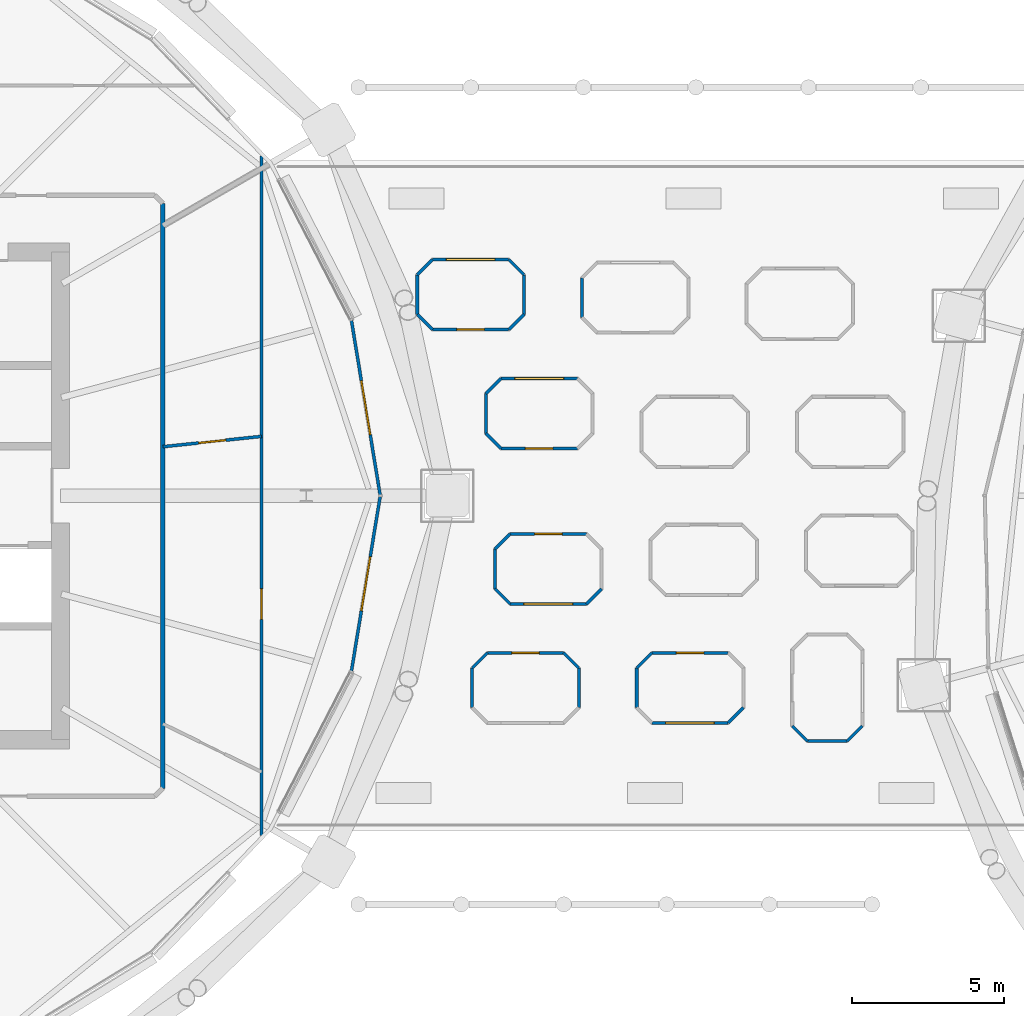
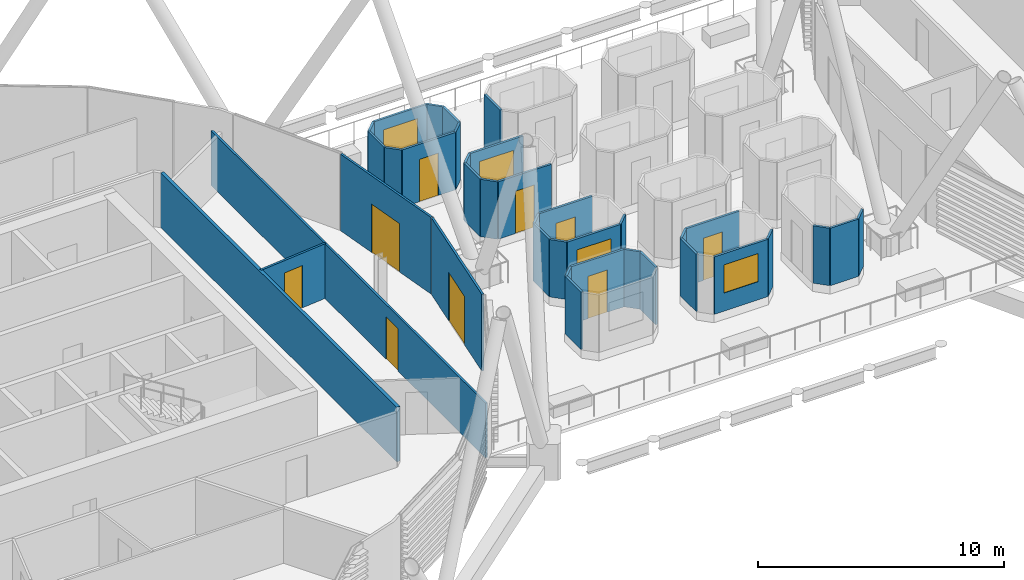
# One storey, part 24 of 38: 38 walls, 9 doors, 4 windows, 13 openings.
"""IFC4 building model written with IfcOpenShell, lengths in metres."""

from ifc_helpers import new_model, si_unit, direction, frame, frame_2d, origin, place, context, subcontext, project, spatial, rectangle, extrude, material, layer, layer_set, type_object, element, fill, save


model = new_model("IFC4")

# Units and contexts
model_context = context("Model", 3, precision=1e-05, world=origin(), true_north=direction((0.0, 1.0)))
body_context = subcontext(model_context, "Body", "Model", "MODEL_VIEW")
ifc_project = project(units=[si_unit("LENGTHUNIT", "METRE"), si_unit("AREAUNIT", "SQUARE_METRE"), si_unit("VOLUMEUNIT", "CUBIC_METRE"), si_unit("PLANEANGLEUNIT", "RADIAN"), si_unit("MASSUNIT", "GRAM", prefix="KILO")], contexts=[model_context])

# Site, building, storey
site_placement = place(None, origin())
site = spatial("IfcSite", under=ifc_project, at=site_placement, CompositionType="ELEMENT")
building_placement = place(site_placement, origin())
building = spatial("IfcBuilding", under=site, at=building_placement, Name="Rimbun Link Towers", CompositionType="ELEMENT")
storey_placement = place(building_placement, frame((0.0, 0.0, 158.89990234375)))
storey = spatial("IfcBuildingStorey", under=building, at=storey_placement, Name="L38", CompositionType="ELEMENT", Elevation=158.89990234375)

# Wall, opening, door
ifc_material_1 = material(Name="Terracotta-faced insulated sandwich panel", Category="masonry")
ifc_layer_1 = layer(ifc_material_1, 0.10009765625)
ifc_layer_set_1 = layer_set([ifc_layer_1], Name="CAPSULE entrance panel 100")
wall_type_1 = type_object("IfcWallType", Name="CAPSULE entrance panel 100", PredefinedType="STANDARD", material=ifc_layer_set_1)
wall_1_placement = place(storey_placement, frame((-3.25, -5.14990234375, 0.41015625), z_axis=(0.0, 0.0, 1.0), x_axis=(-1.0, 0.0, 0.0)))
wall_1 = element("IfcWall", 1, at=wall_1_placement, inside=storey, type_object=wall_type_1, Name="CAPSULE C01 shell panel 3", PredefinedType="STANDARD", context=body_context, shape_type="SweptSolid", body=[
    extrude(rectangle(XDim=2.5, YDim=0.10009765625, at=frame_2d((1.25, 0.0))), origin(), (0.0, 0.0, 1.0), 2.849853515625),
])
opening_1_placement = place(wall_1_placement, frame((0.800048828125, 0.0, 0.0)))
opening_1 = element("IfcOpeningElement", 2, at=opening_1_placement, cuts=wall_1, Name="Opening CD38.01", PredefinedType="OPENING", context=body_context, shape_type="SweptSolid", body=[
    extrude(rectangle(XDim=0.89990234375, YDim=2.10009765625, at=frame_2d((0.449951171875, 1.050048828125))), frame((0.0, 0.06005859375, 0.0), z_axis=(0.0, -1.0, 0.0), x_axis=(1.0, 0.0, 0.0)), (0.0, 0.0, 1.0), 0.1201171875),
])
ifc_material_2 = material(Name="Aluminium framed insulated door leaf", Category="aluminium")
door_type_1 = type_object("IfcDoorType", Name="CAPSULE door single leaf 900X2100", OperationType="SINGLE_SWING_LEFT", PredefinedType="DOOR", material=ifc_material_2)
door_1_placement = place(opening_1_placement, origin())
door_1 = element("IfcDoor", 3, at=door_1_placement, inside=storey, type_object=door_type_1, Name="CAPSULE C01 door", OperationType="SINGLE_SWING_LEFT", OverallHeight=2.10009765625, OverallWidth=0.89990234375, PredefinedType="DOOR", context=body_context, shape_type="SweptSolid", body=[
    extrude(rectangle(XDim=0.89990234375, YDim=2.10009765625, at=frame_2d((0.449951171875, 1.050048828125))), frame((0.0, 0.02490234375, 0.0), z_axis=(0.0, -1.0, 0.0), x_axis=(1.0, 0.0, 0.0)), (0.0, 0.0, 1.0), 0.050048828125),
])
fill(opening_1, door_1)

wall_2_placement = place(storey_placement, frame((2.14990234375, -5.14990234375, 0.41015625), z_axis=(0.0, 0.0, 1.0), x_axis=(-1.0, 0.0, 0.0)))
wall_2 = element("IfcWall", 4, at=wall_2_placement, inside=storey, type_object=wall_type_1, Name="CAPSULE C02 shell panel 3", PredefinedType="STANDARD", context=body_context, shape_type="SweptSolid", body=[
    extrude(rectangle(XDim=2.5, YDim=0.10009765625, at=frame_2d((1.25, 0.0))), origin(), (0.0, 0.0, 1.0), 2.849853515625),
])
opening_2_placement = place(wall_2_placement, frame((0.800048828125, 0.0, 0.0)))
opening_2 = element("IfcOpeningElement", 5, at=opening_2_placement, cuts=wall_2, Name="Opening CD38.02", PredefinedType="OPENING", context=body_context, shape_type="SweptSolid", body=[
    extrude(rectangle(XDim=0.89990234375, YDim=2.10009765625, at=frame_2d((0.449951171875, 1.050048828125))), frame((0.0, 0.06005859375, 0.0), z_axis=(0.0, -1.0, 0.0), x_axis=(1.0, 0.0, 0.0)), (0.0, 0.0, 1.0), 0.1201171875),
])
door_2_placement = place(opening_2_placement, origin())
door_2 = element("IfcDoor", 6, at=door_2_placement, inside=storey, type_object=door_type_1, Name="CAPSULE C02 door", OperationType="SINGLE_SWING_RIGHT", OverallHeight=2.10009765625, OverallWidth=0.89990234375, PredefinedType="DOOR", context=body_context, shape_type="SweptSolid", body=[
    extrude(rectangle(XDim=0.89990234375, YDim=2.10009765625, at=frame_2d((0.449951171875, 1.050048828125))), frame((0.0, 0.02490234375, 0.0), z_axis=(0.0, -1.0, 0.0), x_axis=(1.0, 0.0, 0.0)), (0.0, 0.0, 1.0), 0.050048828125),
])
fill(opening_2, door_2)

wall_3_placement = place(storey_placement, frame((-2.5, -1.25, 0.41015625), z_axis=(0.0, 0.0, 1.0), x_axis=(-1.0, 0.0, 0.0)))
wall_3 = element("IfcWall", 7, at=wall_3_placement, inside=storey, type_object=wall_type_1, Name="CAPSULE C04 shell panel 3", PredefinedType="STANDARD", context=body_context, shape_type="SweptSolid", body=[
    extrude(rectangle(XDim=2.5, YDim=0.10009765625, at=frame_2d((1.25, 0.0))), origin(), (0.0, 0.0, 1.0), 2.849853515625),
])
opening_3_placement = place(wall_3_placement, frame((0.800048828125, 0.0, 0.0)))
opening_3 = element("IfcOpeningElement", 8, at=opening_3_placement, cuts=wall_3, Name="Opening CD38.04", PredefinedType="OPENING", context=body_context, shape_type="SweptSolid", body=[
    extrude(rectangle(XDim=0.89990234375, YDim=2.10009765625, at=frame_2d((0.449951171875, 1.050048828125))), frame((0.0, 0.06005859375, 0.0), z_axis=(0.0, -1.0, 0.0), x_axis=(1.0, 0.0, 0.0)), (0.0, 0.0, 1.0), 0.1201171875),
])
door_3_placement = place(opening_3_placement, origin())
door_3 = element("IfcDoor", 9, at=door_3_placement, inside=storey, type_object=door_type_1, Name="CAPSULE C04 door", OperationType="SINGLE_SWING_RIGHT", OverallHeight=2.10009765625, OverallWidth=0.89990234375, PredefinedType="DOOR", context=body_context, shape_type="SweptSolid", body=[
    extrude(rectangle(XDim=0.89990234375, YDim=2.10009765625, at=frame_2d((0.449951171875, 1.050048828125))), frame((0.0, 0.02490234375, 0.0), z_axis=(0.0, -1.0, 0.0), x_axis=(1.0, 0.0, 0.0)), (0.0, 0.0, 1.0), 0.050048828125),
])
fill(opening_3, door_3)

wall_4_placement = place(storey_placement, frame((-5.300048828125, 1.550048828125, 0.41015625), z_axis=(0.0, 0.0, 1.0), x_axis=(1.0, 0.0, 0.0)))
wall_4 = element("IfcWall", 10, at=wall_4_placement, inside=storey, type_object=wall_type_1, Name="CAPSULE C07 shell panel 7", PredefinedType="STANDARD", context=body_context, shape_type="SweptSolid", body=[
    extrude(rectangle(XDim=2.5, YDim=0.10009765625, at=frame_2d((1.25, 0.0))), origin(), (0.0, 0.0, 1.0), 2.849853515625),
])
opening_4_placement = place(wall_4_placement, frame((0.800048828125, 0.0, 0.0)))
opening_4 = element("IfcOpeningElement", 11, at=opening_4_placement, cuts=wall_4, Name="Opening CD38.07", PredefinedType="OPENING", context=body_context, shape_type="SweptSolid", body=[
    extrude(rectangle(XDim=0.89990234375, YDim=2.10009765625, at=frame_2d((0.449951171875, 1.050048828125))), frame((0.0, 0.06005859375, 0.0), z_axis=(0.0, -1.0, 0.0), x_axis=(1.0, 0.0, 0.0)), (0.0, 0.0, 1.0), 0.1201171875),
])
door_4_placement = place(opening_4_placement, origin())
door_4 = element("IfcDoor", 12, at=door_4_placement, inside=storey, type_object=door_type_1, Name="CAPSULE C07 door", OperationType="SINGLE_SWING_LEFT", OverallHeight=2.10009765625, OverallWidth=0.89990234375, PredefinedType="DOOR", context=body_context, shape_type="SweptSolid", body=[
    extrude(rectangle(XDim=0.89990234375, YDim=2.10009765625, at=frame_2d((0.449951171875, 1.050048828125))), frame((0.0, 0.02490234375, 0.0), z_axis=(0.0, -1.0, 0.0), x_axis=(1.0, 0.0, 0.0)), (0.0, 0.0, 1.0), 0.050048828125),
])
fill(opening_4, door_4)

wall_5_placement = place(storey_placement, frame((-7.550048828125, 5.449951171875, 0.41015625), z_axis=(0.0, 0.0, 1.0), x_axis=(1.0, 0.0, 0.0)))
wall_5 = element("IfcWall", 13, at=wall_5_placement, inside=storey, type_object=wall_type_1, Name="CAPSULE C10 shell panel 7", PredefinedType="STANDARD", context=body_context, shape_type="SweptSolid", body=[
    extrude(rectangle(XDim=2.5, YDim=0.10009765625, at=frame_2d((1.25, 0.0))), origin(), (0.0, 0.0, 1.0), 2.849853515625),
])
opening_5_placement = place(wall_5_placement, frame((0.800048828125, 0.0, 0.0)))
opening_5 = element("IfcOpeningElement", 14, at=opening_5_placement, cuts=wall_5, Name="Opening CD38.10", PredefinedType="OPENING", context=body_context, shape_type="SweptSolid", body=[
    extrude(rectangle(XDim=0.89990234375, YDim=2.10009765625, at=frame_2d((0.449951171875, 1.050048828125))), frame((0.0, 0.06005859375, 0.0), z_axis=(0.0, -1.0, 0.0), x_axis=(1.0, 0.0, 0.0)), (0.0, 0.0, 1.0), 0.1201171875),
])
door_5_placement = place(opening_5_placement, origin())
door_5 = element("IfcDoor", 15, at=door_5_placement, inside=storey, type_object=door_type_1, Name="CAPSULE C10 door", OperationType="SINGLE_SWING_RIGHT", OverallHeight=2.10009765625, OverallWidth=0.89990234375, PredefinedType="DOOR", context=body_context, shape_type="SweptSolid", body=[
    extrude(rectangle(XDim=0.89990234375, YDim=2.10009765625, at=frame_2d((0.449951171875, 1.050048828125))), frame((0.0, 0.02490234375, 0.0), z_axis=(0.0, -1.0, 0.0), x_axis=(1.0, 0.0, 0.0)), (0.0, 0.0, 1.0), 0.050048828125),
])
fill(opening_5, door_5)

# Walls
ifc_material_3 = material(Name="Terracotta-faced insulated sandwich panel", Category="masonry")
ifc_layer_2 = layer(ifc_material_3, 0.10009765625)
ifc_layer_set_2 = layer_set([ifc_layer_2], Name="CAPSULE shell panel 100")
wall_type_2 = type_object("IfcWallType", Name="CAPSULE shell panel 100", PredefinedType="STANDARD", material=ifc_layer_set_2)
wall_6_placement = place(storey_placement, frame((-2.75, -6.949951171875, 0.41015625), z_axis=(0.0, 0.0, 1.0), x_axis=(0.0, 1.0, 0.0)))
element("IfcWall", 16, at=wall_6_placement, inside=storey, type_object=wall_type_2, Name="CAPSULE C01 shell panel 1", PredefinedType="STANDARD", context=body_context, shape_type="SweptSolid", body=[
    extrude(rectangle(XDim=1.300048828125, YDim=0.10009765625, at=frame_2d((0.64990234375, 0.0))), origin(), (0.0, 0.0, 1.0), 2.849853515625),
])
for number, where, z_axis, x_axis, name in (
    (17, (-2.75, -5.64990234375, 0.41015625), (0.0, 0.0, 1.0), (-0.707106781187, 0.707106781187, 0.0), "CAPSULE C01 shell panel 2"),
    (18, (-5.75, -5.14990234375, 0.41015625), (0.0, 0.0, 1.0), (-0.707106781187, -0.707106781187, 0.0), "CAPSULE C01 shell panel 4"),
):
    element("IfcWall", number, at=place(storey_placement, frame(where, z_axis=z_axis, x_axis=x_axis)), inside=storey, type_object=wall_type_2, Name=name, PredefinedType="STANDARD", context=body_context, shape_type="SweptSolid", body=[
        extrude(rectangle(XDim=0.70703125, YDim=0.10009765625, at=frame_2d((0.353515625, 0.0))), origin(), (0.0, 0.0, 1.0), 2.849853515625),
    ])
wall_7_placement = place(storey_placement, frame((-6.25, -5.64990234375, 0.41015625), z_axis=(0.0, 0.0, 1.0), x_axis=(0.0, -1.0, 0.0)))
element("IfcWall", 19, at=wall_7_placement, inside=storey, type_object=wall_type_2, Name="CAPSULE C01 shell panel 5", PredefinedType="STANDARD", context=body_context, shape_type="SweptSolid", body=[
    extrude(rectangle(XDim=1.300048828125, YDim=0.10009765625, at=frame_2d((0.64990234375, 0.0))), origin(), (0.0, 0.0, 1.0), 2.849853515625),
])
wall_8_placement = place(storey_placement, frame((-0.35009765625, -5.14990234375, 0.41015625), z_axis=(0.0, 0.0, 1.0), x_axis=(-0.707106781187, -0.707106781187, 0.0)))
element("IfcWall", 20, at=wall_8_placement, inside=storey, type_object=wall_type_2, Name="CAPSULE C02 shell panel 4", PredefinedType="STANDARD", context=body_context, shape_type="SweptSolid", body=[
    extrude(rectangle(XDim=0.70703125, YDim=0.10009765625, at=frame_2d((0.353515625, 0.0))), origin(), (0.0, 0.0, 1.0), 2.849853515625),
])
wall_9_placement = place(storey_placement, frame((-0.85009765625, -5.64990234375, 0.41015625), z_axis=(0.0, 0.0, 1.0), x_axis=(0.0, -1.0, 0.0)))
element("IfcWall", 21, at=wall_9_placement, inside=storey, type_object=wall_type_2, Name="CAPSULE C02 shell panel 5", PredefinedType="STANDARD", context=body_context, shape_type="SweptSolid", body=[
    extrude(rectangle(XDim=1.300048828125, YDim=0.10009765625, at=frame_2d((0.64990234375, 0.0))), origin(), (0.0, 0.0, 1.0), 2.849853515625),
])

# Wall, opening, window
wall_10_placement = place(storey_placement, frame((-0.35009765625, -7.449951171875, 0.41015625), z_axis=(0.0, 0.0, 1.0), x_axis=(1.0, 0.0, 0.0)))
wall_10 = element("IfcWall", 22, at=wall_10_placement, inside=storey, type_object=wall_type_2, Name="CAPSULE C02 shell panel 7", PredefinedType="STANDARD", context=body_context, shape_type="SweptSolid", body=[
    extrude(rectangle(XDim=2.5, YDim=0.10009765625, at=frame_2d((1.25, 0.0))), origin(), (0.0, 0.0, 1.0), 2.849853515625),
])
opening_6_placement = place(wall_10_placement, frame((0.449951171875, 0.0, 0.89990234375)))
opening_6 = element("IfcOpeningElement", 23, at=opening_6_placement, cuts=wall_10, Name="Opening CN38.02", PredefinedType="OPENING", context=body_context, shape_type="SweptSolid", body=[
    extrude(rectangle(XDim=1.60009765625, YDim=1.39990234375, at=frame_2d((0.800048828125, 0.699951171875))), frame((0.0, 0.06005859375, 0.0), z_axis=(0.0, -1.0, 0.0), x_axis=(1.0, 0.0, 0.0)), (0.0, 0.0, 1.0), 0.1201171875),
])
ifc_material_4 = material(Name="Aluminium framed window, low-iron glass", Category="aluminium")
window_type = type_object("IfcWindowType", Name="CAPSULE window 1600X1400", PartitioningType="SINGLE_PANEL", PredefinedType="WINDOW", material=ifc_material_4)
window_1_placement = place(opening_6_placement, origin())
window_1 = element("IfcWindow", 24, at=window_1_placement, inside=storey, type_object=window_type, Name="CAPSULE C02 window", OverallHeight=1.39990234375, OverallWidth=1.60009765625, PartitioningType="SINGLE_PANEL", PredefinedType="WINDOW", context=body_context, shape_type="SweptSolid", body=[
    extrude(rectangle(XDim=1.60009765625, YDim=1.39990234375, at=frame_2d((0.800048828125, 0.699951171875))), frame((0.0, 0.030029296875, 0.0), z_axis=(0.0, -1.0, 0.0), x_axis=(1.0, 0.0, 0.0)), (0.0, 0.0, 1.0), 0.06005859375),
])
fill(opening_6, window_1)

# Walls
for number, where, z_axis, x_axis, name in (
    (25, (2.14990234375, -7.449951171875, 0.41015625), (0.0, 0.0, 1.0), (0.707106781187, 0.707106781187, 0.0), "CAPSULE C02 shell panel 8"),
    (26, (4.25, -7.550048828125, 0.41015625), (0.0, 0.0, 1.0), (0.707106781187, -0.707106781187, 0.0), "CAPSULE C03 shell panel 4"),
):
    element("IfcWall", number, at=place(storey_placement, frame(where, z_axis=z_axis, x_axis=x_axis)), inside=storey, type_object=wall_type_2, Name=name, PredefinedType="STANDARD", context=body_context, shape_type="SweptSolid", body=[
        extrude(rectangle(XDim=0.70703125, YDim=0.10009765625, at=frame_2d((0.353515625, 0.0))), origin(), (0.0, 0.0, 1.0), 2.849853515625),
    ])
wall_11_placement = place(storey_placement, frame((4.75, -8.050048828125, 0.41015625), z_axis=(0.0, 0.0, 1.0), x_axis=(1.0, 0.0, 0.0)))
element("IfcWall", 27, at=wall_11_placement, inside=storey, type_object=wall_type_2, Name="CAPSULE C03 shell panel 5", PredefinedType="STANDARD", context=body_context, shape_type="SweptSolid", body=[
    extrude(rectangle(XDim=1.300048828125, YDim=0.10009765625, at=frame_2d((0.64990234375, 0.0))), origin(), (0.0, 0.0, 1.0), 2.849853515625),
])
for number, where, z_axis, x_axis, name in (
    (28, (6.050048828125, -8.050048828125, 0.41015625), (0.0, 0.0, 1.0), (0.707106781187, 0.707106781187, 0.0), "CAPSULE C03 shell panel 6"),
    (29, (-5.0, -1.25, 0.41015625), (0.0, 0.0, 1.0), (-0.707106781187, -0.707106781187, 0.0), "CAPSULE C04 shell panel 4"),
):
    element("IfcWall", number, at=place(storey_placement, frame(where, z_axis=z_axis, x_axis=x_axis)), inside=storey, type_object=wall_type_2, Name=name, PredefinedType="STANDARD", context=body_context, shape_type="SweptSolid", body=[
        extrude(rectangle(XDim=0.70703125, YDim=0.10009765625, at=frame_2d((0.353515625, 0.0))), origin(), (0.0, 0.0, 1.0), 2.849853515625),
    ])
wall_12_placement = place(storey_placement, frame((-5.5, -1.75, 0.41015625), z_axis=(0.0, 0.0, 1.0), x_axis=(0.0, -1.0, 0.0)))
element("IfcWall", 30, at=wall_12_placement, inside=storey, type_object=wall_type_2, Name="CAPSULE C04 shell panel 5", PredefinedType="STANDARD", context=body_context, shape_type="SweptSolid", body=[
    extrude(rectangle(XDim=1.300048828125, YDim=0.10009765625, at=frame_2d((0.64990234375, 0.0))), origin(), (0.0, 0.0, 1.0), 2.849853515625),
])
wall_13_placement = place(storey_placement, frame((-5.5, -3.050048828125, 0.41015625), z_axis=(0.0, 0.0, 1.0), x_axis=(0.707106781187, -0.707106781187, 0.0)))
element("IfcWall", 31, at=wall_13_placement, inside=storey, type_object=wall_type_2, Name="CAPSULE C04 shell panel 6", PredefinedType="STANDARD", context=body_context, shape_type="SweptSolid", body=[
    extrude(rectangle(XDim=0.70703125, YDim=0.10009765625, at=frame_2d((0.353515625, 0.0))), origin(), (0.0, 0.0, 1.0), 2.849853515625),
])

# Wall, opening, window
wall_14_placement = place(storey_placement, frame((-5.0, -3.550048828125, 0.41015625), z_axis=(0.0, 0.0, 1.0), x_axis=(1.0, 0.0, 0.0)))
wall_14 = element("IfcWall", 32, at=wall_14_placement, inside=storey, type_object=wall_type_2, Name="CAPSULE C04 shell panel 7", PredefinedType="STANDARD", context=body_context, shape_type="SweptSolid", body=[
    extrude(rectangle(XDim=2.5, YDim=0.10009765625, at=frame_2d((1.25, 0.0))), origin(), (0.0, 0.0, 1.0), 2.849853515625),
])
opening_7_placement = place(wall_14_placement, frame((0.449951171875, 0.0, 0.89990234375)))
opening_7 = element("IfcOpeningElement", 33, at=opening_7_placement, cuts=wall_14, Name="Opening CN38.04", PredefinedType="OPENING", context=body_context, shape_type="SweptSolid", body=[
    extrude(rectangle(XDim=1.60009765625, YDim=1.39990234375, at=frame_2d((0.800048828125, 0.699951171875))), frame((0.0, 0.06005859375, 0.0), z_axis=(0.0, -1.0, 0.0), x_axis=(1.0, 0.0, 0.0)), (0.0, 0.0, 1.0), 0.1201171875),
])
window_2_placement = place(opening_7_placement, origin())
window_2 = element("IfcWindow", 34, at=window_2_placement, inside=storey, type_object=window_type, Name="CAPSULE C04 window", OverallHeight=1.39990234375, OverallWidth=1.60009765625, PartitioningType="SINGLE_PANEL", PredefinedType="WINDOW", context=body_context, shape_type="SweptSolid", body=[
    extrude(rectangle(XDim=1.60009765625, YDim=1.39990234375, at=frame_2d((0.800048828125, 0.699951171875))), frame((0.0, 0.030029296875, 0.0), z_axis=(0.0, -1.0, 0.0), x_axis=(1.0, 0.0, 0.0)), (0.0, 0.0, 1.0), 0.06005859375),
])
fill(opening_7, window_2)

# Wall
wall_15_placement = place(storey_placement, frame((-2.5, -3.550048828125, 0.41015625), z_axis=(0.0, 0.0, 1.0), x_axis=(0.707106781187, 0.707106781187, 0.0)))
element("IfcWall", 35, at=wall_15_placement, inside=storey, type_object=wall_type_2, Name="CAPSULE C04 shell panel 8", PredefinedType="STANDARD", context=body_context, shape_type="SweptSolid", body=[
    extrude(rectangle(XDim=0.70703125, YDim=0.10009765625, at=frame_2d((0.353515625, 0.0))), origin(), (0.0, 0.0, 1.0), 2.849853515625),
])

# Wall, opening, window
wall_16_placement = place(storey_placement, frame((-2.800048828125, 3.85009765625, 0.41015625), z_axis=(0.0, 0.0, 1.0), x_axis=(-1.0, 0.0, 0.0)))
wall_16 = element("IfcWall", 36, at=wall_16_placement, inside=storey, type_object=wall_type_2, Name="CAPSULE C07 shell panel 3", PredefinedType="STANDARD", context=body_context, shape_type="SweptSolid", body=[
    extrude(rectangle(XDim=2.5, YDim=0.10009765625, at=frame_2d((1.25, 0.0))), origin(), (0.0, 0.0, 1.0), 2.849853515625),
])
opening_8_placement = place(wall_16_placement, frame((0.449951171875, 0.0, 0.89990234375)))
opening_8 = element("IfcOpeningElement", 37, at=opening_8_placement, cuts=wall_16, Name="Opening CN38.07", PredefinedType="OPENING", context=body_context, shape_type="SweptSolid", body=[
    extrude(rectangle(XDim=1.60009765625, YDim=1.39990234375, at=frame_2d((0.800048828125, 0.699951171875))), frame((0.0, 0.06005859375, 0.0), z_axis=(0.0, -1.0, 0.0), x_axis=(1.0, 0.0, 0.0)), (0.0, 0.0, 1.0), 0.1201171875),
])
window_3_placement = place(opening_8_placement, origin())
window_3 = element("IfcWindow", 38, at=window_3_placement, inside=storey, type_object=window_type, Name="CAPSULE C07 window", OverallHeight=1.39990234375, OverallWidth=1.60009765625, PartitioningType="SINGLE_PANEL", PredefinedType="WINDOW", context=body_context, shape_type="SweptSolid", body=[
    extrude(rectangle(XDim=1.60009765625, YDim=1.39990234375, at=frame_2d((0.800048828125, 0.699951171875))), frame((0.0, 0.030029296875, 0.0), z_axis=(0.0, -1.0, 0.0), x_axis=(1.0, 0.0, 0.0)), (0.0, 0.0, 1.0), 0.06005859375),
])
fill(opening_8, window_3)

# Walls
wall_17_placement = place(storey_placement, frame((-5.300048828125, 3.85009765625, 0.41015625), z_axis=(0.0, 0.0, 1.0), x_axis=(-0.707106781187, -0.707106781187, 0.0)))
element("IfcWall", 39, at=wall_17_placement, inside=storey, type_object=wall_type_2, Name="CAPSULE C07 shell panel 4", PredefinedType="STANDARD", context=body_context, shape_type="SweptSolid", body=[
    extrude(rectangle(XDim=0.70703125, YDim=0.10009765625, at=frame_2d((0.353515625, 0.0))), origin(), (0.0, 0.0, 1.0), 2.849853515625),
])
wall_18_placement = place(storey_placement, frame((-5.800048828125, 3.35009765625, 0.41015625), z_axis=(0.0, 0.0, 1.0), x_axis=(0.0, -1.0, 0.0)))
element("IfcWall", 40, at=wall_18_placement, inside=storey, type_object=wall_type_2, Name="CAPSULE C07 shell panel 5", PredefinedType="STANDARD", context=body_context, shape_type="SweptSolid", body=[
    extrude(rectangle(XDim=1.300048828125, YDim=0.10009765625, at=frame_2d((0.64990234375, 0.0))), origin(), (0.0, 0.0, 1.0), 2.849853515625),
])
wall_19_placement = place(storey_placement, frame((-5.800048828125, 2.050048828125, 0.41015625), z_axis=(0.0, 0.0, 1.0), x_axis=(0.707106781187, -0.707106781187, 0.0)))
element("IfcWall", 41, at=wall_19_placement, inside=storey, type_object=wall_type_2, Name="CAPSULE C07 shell panel 6", PredefinedType="STANDARD", context=body_context, shape_type="SweptSolid", body=[
    extrude(rectangle(XDim=0.70703125, YDim=0.10009765625, at=frame_2d((0.353515625, 0.0))), origin(), (0.0, 0.0, 1.0), 2.849853515625),
])
wall_20_placement = place(storey_placement, frame((-4.550048828125, 5.949951171875, 0.41015625), z_axis=(0.0, 0.0, 1.0), x_axis=(0.0, 1.0, 0.0)))
element("IfcWall", 42, at=wall_20_placement, inside=storey, type_object=wall_type_2, Name="CAPSULE C10 shell panel 1", PredefinedType="STANDARD", context=body_context, shape_type="SweptSolid", body=[
    extrude(rectangle(XDim=1.300048828125, YDim=0.10009765625, at=frame_2d((0.64990234375, 0.0))), origin(), (0.0, 0.0, 1.0), 2.849853515625),
])
wall_21_placement = place(storey_placement, frame((-4.550048828125, 7.25, 0.41015625), z_axis=(0.0, 0.0, 1.0), x_axis=(-0.707106781187, 0.707106781187, 0.0)))
element("IfcWall", 43, at=wall_21_placement, inside=storey, type_object=wall_type_2, Name="CAPSULE C10 shell panel 2", PredefinedType="STANDARD", context=body_context, shape_type="SweptSolid", body=[
    extrude(rectangle(XDim=0.70703125, YDim=0.10009765625, at=frame_2d((0.353515625, 0.0))), origin(), (0.0, 0.0, 1.0), 2.849853515625),
])

# Wall, opening, window
wall_22_placement = place(storey_placement, frame((-5.050048828125, 7.75, 0.41015625), z_axis=(0.0, 0.0, 1.0), x_axis=(-1.0, 0.0, 0.0)))
wall_22 = element("IfcWall", 44, at=wall_22_placement, inside=storey, type_object=wall_type_2, Name="CAPSULE C10 shell panel 3", PredefinedType="STANDARD", context=body_context, shape_type="SweptSolid", body=[
    extrude(rectangle(XDim=2.5, YDim=0.10009765625, at=frame_2d((1.25, 0.0))), origin(), (0.0, 0.0, 1.0), 2.849853515625),
])
opening_9_placement = place(wall_22_placement, frame((0.449951171875, 0.0, 0.89990234375)))
opening_9 = element("IfcOpeningElement", 45, at=opening_9_placement, cuts=wall_22, Name="Opening CN38.10", PredefinedType="OPENING", context=body_context, shape_type="SweptSolid", body=[
    extrude(rectangle(XDim=1.60009765625, YDim=1.39990234375, at=frame_2d((0.800048828125, 0.699951171875))), frame((0.0, 0.06005859375, 0.0), z_axis=(0.0, -1.0, 0.0), x_axis=(1.0, 0.0, 0.0)), (0.0, 0.0, 1.0), 0.1201171875),
])
window_4_placement = place(opening_9_placement, origin())
window_4 = element("IfcWindow", 46, at=window_4_placement, inside=storey, type_object=window_type, Name="CAPSULE C10 window", OverallHeight=1.39990234375, OverallWidth=1.60009765625, PartitioningType="SINGLE_PANEL", PredefinedType="WINDOW", context=body_context, shape_type="SweptSolid", body=[
    extrude(rectangle(XDim=1.60009765625, YDim=1.39990234375, at=frame_2d((0.800048828125, 0.699951171875))), frame((0.0, 0.030029296875, 0.0), z_axis=(0.0, -1.0, 0.0), x_axis=(1.0, 0.0, 0.0)), (0.0, 0.0, 1.0), 0.06005859375),
])
fill(opening_9, window_4)

# Walls
wall_23_placement = place(storey_placement, frame((-7.550048828125, 7.75, 0.41015625), z_axis=(0.0, 0.0, 1.0), x_axis=(-0.707106781187, -0.707106781187, 0.0)))
element("IfcWall", 47, at=wall_23_placement, inside=storey, type_object=wall_type_2, Name="CAPSULE C10 shell panel 4", PredefinedType="STANDARD", context=body_context, shape_type="SweptSolid", body=[
    extrude(rectangle(XDim=0.70703125, YDim=0.10009765625, at=frame_2d((0.353515625, 0.0))), origin(), (0.0, 0.0, 1.0), 2.849853515625),
])
wall_24_placement = place(storey_placement, frame((-8.050048828125, 7.25, 0.41015625), z_axis=(0.0, 0.0, 1.0), x_axis=(0.0, -1.0, 0.0)))
element("IfcWall", 48, at=wall_24_placement, inside=storey, type_object=wall_type_2, Name="CAPSULE C10 shell panel 5", PredefinedType="STANDARD", context=body_context, shape_type="SweptSolid", body=[
    extrude(rectangle(XDim=1.300048828125, YDim=0.10009765625, at=frame_2d((0.64990234375, 0.0))), origin(), (0.0, 0.0, 1.0), 2.849853515625),
])
for number, where, z_axis, x_axis, name in (
    (49, (-8.050048828125, 5.949951171875, 0.41015625), (0.0, 0.0, 1.0), (0.707106781187, -0.707106781187, 0.0), "CAPSULE C10 shell panel 6"),
    (50, (-5.050048828125, 5.449951171875, 0.41015625), (0.0, 0.0, 1.0), (0.707106781187, 0.707106781187, 0.0), "CAPSULE C10 shell panel 8"),
):
    element("IfcWall", number, at=place(storey_placement, frame(where, z_axis=z_axis, x_axis=x_axis)), inside=storey, type_object=wall_type_2, Name=name, PredefinedType="STANDARD", context=body_context, shape_type="SweptSolid", body=[
        extrude(rectangle(XDim=0.70703125, YDim=0.10009765625, at=frame_2d((0.353515625, 0.0))), origin(), (0.0, 0.0, 1.0), 2.849853515625),
    ])
wall_25_placement = place(storey_placement, frame((-2.64990234375, 7.14990234375, 0.41015625), z_axis=(0.0, 0.0, 1.0), x_axis=(0.0, -1.0, 0.0)))
element("IfcWall", 51, at=wall_25_placement, inside=storey, type_object=wall_type_2, Name="CAPSULE C11 shell panel 5", PredefinedType="STANDARD", context=body_context, shape_type="SweptSolid", body=[
    extrude(rectangle(XDim=1.2998046875, YDim=0.10009765625, at=frame_2d((0.64990234375, 0.0))), origin(), (0.0, 0.0, 1.0), 2.849853515625),
])
ifc_material_5 = material(Name="Plasterboard on steel stud, mineral wool", Category="steel")
ifc_layer_3 = layer(ifc_material_5, 0.14990234375)
ifc_layer_set_3 = layer_set([ifc_layer_3], Name="Corridor wall EI 30 150 mm")
wall_type_3 = type_object("IfcWallType", Name="Corridor wall EI 30 150 mm", PredefinedType="PARTITIONING", material=ifc_layer_set_3)
wall_26_placement = place(storey_placement, frame((-16.39501953125, -9.59375, 0.0), z_axis=(0.0, 0.0, 1.0), x_axis=(0.0, 1.0, 0.0)))
element("IfcWall", 52, at=wall_26_placement, inside=storey, type_object=wall_type_3, Name="Corridor wall EI 30 150 mm", PredefinedType="PARTITIONING", context=body_context, shape_type="SweptSolid", body=[
    extrude(rectangle(XDim=19.1875, YDim=0.14990234375, at=frame_2d((9.59375, 0.0))), origin(), (0.0, 0.0, 1.0), 2.712158203125),
])

# Wall, opening, door
ifc_material_6 = material(Name="Aluminium framed insulated infill panel", Category="aluminium")
ifc_layer_4 = layer(ifc_material_6, 0.10009765625)
ifc_layer_set_4 = layer_set([ifc_layer_4], Name="ED framed infill wall 100")
wall_type_4 = type_object("IfcWallType", Name="ED framed infill wall 100", PredefinedType="STANDARD", material=ifc_layer_set_4)
wall_27_placement = place(storey_placement, frame((-10.208251953125, 5.746337890625, 0.0), z_axis=(0.0, 0.0, 1.0), x_axis=(0.162274028093, -0.986745732094, 0.0)))
wall_27 = element("IfcWall", 53, at=wall_27_placement, inside=storey, type_object=wall_type_4, Name="Framed door bay wall", PredefinedType="STANDARD", context=body_context, shape_type="SweptSolid", body=[
    extrude(rectangle(XDim=5.79541015625, YDim=0.10009765625, at=frame_2d((2.897705078125, 0.0))), origin(), (0.0, 0.0, 1.0), 3.800048828125),
])
opening_10_placement = place(wall_27_placement, frame((1.99755859375, 0.0, 0.0)))
opening_10 = element("IfcOpeningElement", 54, at=opening_10_placement, cuts=wall_27, Name="Opening ED67", PredefinedType="OPENING", context=body_context, shape_type="SweptSolid", body=[
    extrude(rectangle(XDim=1.800048828125, YDim=2.39990234375, at=frame_2d((0.89990234375, 1.199951171875))), frame((0.0, 0.06005859375, 0.0), z_axis=(0.0, -1.0, 0.0), x_axis=(1.0, 0.0, 0.0)), (0.0, 0.0, 1.0), 0.1201171875),
])
ifc_material_7 = material(Name="Aluminium framed glazed door, low-iron glass", Category="aluminium")
door_type_2 = type_object("IfcDoorType", Name="ED terrace door double leaf 1800X2400", OperationType="DOUBLE_DOOR_SINGLE_SWING", PredefinedType="DOOR", material=ifc_material_7)
door_6_placement = place(opening_10_placement, origin())
door_6 = element("IfcDoor", 55, at=door_6_placement, inside=storey, type_object=door_type_2, Name="Terrace door", OperationType="SINGLE_SWING_LEFT", OverallHeight=2.39990234375, OverallWidth=1.800048828125, PredefinedType="DOOR", context=body_context, shape_type="SweptSolid", body=[
    extrude(rectangle(XDim=1.800048828125, YDim=2.39990234375, at=frame_2d((0.89990234375, 1.199951171875))), frame((0.0, 0.02490234375, 0.0), z_axis=(0.0, -1.0, 0.0), x_axis=(1.0, 0.0, 0.0)), (0.0, 0.0, 1.0), 0.050048828125),
])
fill(opening_10, door_6)

wall_28_placement = place(storey_placement, frame((-9.267822265625, -0.02783203125, 0.0), z_axis=(0.0, 0.0, 1.0), x_axis=(-0.162274028093, -0.986745732094, 0.0)))
wall_28 = element("IfcWall", 56, at=wall_28_placement, inside=storey, type_object=wall_type_4, Name="Framed door bay wall", PredefinedType="STANDARD", context=body_context, shape_type="SweptSolid", body=[
    extrude(rectangle(XDim=5.79541015625, YDim=0.10009765625, at=frame_2d((2.897705078125, 0.0))), origin(), (0.0, 0.0, 1.0), 3.800048828125),
])
opening_11_placement = place(wall_28_placement, frame((1.99755859375, 0.0, 0.0)))
opening_11 = element("IfcOpeningElement", 57, at=opening_11_placement, cuts=wall_28, Name="Opening ED68", PredefinedType="OPENING", context=body_context, shape_type="SweptSolid", body=[
    extrude(rectangle(XDim=1.800048828125, YDim=2.39990234375, at=frame_2d((0.89990234375, 1.199951171875))), frame((0.0, 0.06005859375, 0.0), z_axis=(0.0, -1.0, 0.0), x_axis=(1.0, 0.0, 0.0)), (0.0, 0.0, 1.0), 0.1201171875),
])
door_7_placement = place(opening_11_placement, origin())
door_7 = element("IfcDoor", 58, at=door_7_placement, inside=storey, type_object=door_type_2, Name="Terrace door", OperationType="SINGLE_SWING_LEFT", OverallHeight=2.39990234375, OverallWidth=1.800048828125, PredefinedType="DOOR", context=body_context, shape_type="SweptSolid", body=[
    extrude(rectangle(XDim=1.800048828125, YDim=2.39990234375, at=frame_2d((0.89990234375, 1.199951171875))), frame((0.0, 0.02490234375, 0.0), z_axis=(0.0, -1.0, 0.0), x_axis=(1.0, 0.0, 0.0)), (0.0, 0.0, 1.0), 0.050048828125),
])
fill(opening_11, door_7)

ifc_material_8 = material(Name="Plasterboard on steel stud", Category="steel")
ifc_layer_5 = layer(ifc_material_8, 0.10009765625)
ifc_layer_set_5 = layer_set([ifc_layer_5], Name="Plasterboard partition 100 mm")
wall_type_5 = type_object("IfcWallType", Name="Plasterboard partition 100 mm", PredefinedType="PARTITIONING", material=ifc_layer_set_5)
wall_29_placement = place(storey_placement, frame((-13.155029296875, 11.148193359375, 0.0), z_axis=(0.0, 0.0, 1.0), x_axis=(0.0, -1.0, 0.0)))
wall_29 = element("IfcWall", 59, at=wall_29_placement, inside=storey, type_object=wall_type_5, Name="Plasterboard partition 100 mm", PredefinedType="PARTITIONING", context=body_context, shape_type="SweptSolid", body=[
    extrude(rectangle(XDim=22.29638671875, YDim=0.10009765625, at=frame_2d((11.148193359375, 0.0))), origin(), (0.0, 0.0, 1.0), 2.712158203125),
])
opening_12_placement = place(wall_29_placement, frame((14.203125, 0.0, 0.0)))
opening_12 = element("IfcOpeningElement", 60, at=opening_12_placement, cuts=wall_29, Name="Opening D03", PredefinedType="OPENING", context=body_context, shape_type="SweptSolid", body=[
    extrude(rectangle(XDim=1.0, YDim=2.10009765625, at=frame_2d((0.5, 1.050048828125))), frame((0.0, 0.06005859375, 0.0), z_axis=(0.0, -1.0, 0.0), x_axis=(1.0, 0.0, 0.0)), (0.0, 0.0, 1.0), 0.1201171875),
])
ifc_material_9 = material(Name="Timber door leaf", Category="wood")
door_type_3 = type_object("IfcDoorType", Name="Flush door 1000", OperationType="NOTDEFINED", PredefinedType="DOOR", material=ifc_material_9)
door_8_placement = place(opening_12_placement, origin())
door_8 = element("IfcDoor", 61, at=door_8_placement, inside=storey, type_object=door_type_3, Name="Flush door 1000 to Trading floor", OperationType="SINGLE_SWING_LEFT", OverallHeight=2.10009765625, OverallWidth=1.0, PredefinedType="DOOR", context=body_context, shape_type="SweptSolid", body=[
    extrude(rectangle(XDim=1.0, YDim=2.10009765625, at=frame_2d((0.5, 1.050048828125))), frame((0.0, 0.02490234375, 0.0), z_axis=(0.0, -1.0, 0.0), x_axis=(1.0, 0.0, 0.0)), (0.0, 0.0, 1.0), 0.050048828125),
])
fill(opening_12, door_8)

wall_30_placement = place(storey_placement, frame((-16.39501953125, 1.609619140625, 0.0), z_axis=(0.0, 0.0, 1.0), x_axis=(0.994551757502, 0.10424395258, 0.0)))
wall_30 = element("IfcWall", 62, at=wall_30_placement, inside=storey, type_object=wall_type_5, Name="Plasterboard partition 100 mm", PredefinedType="PARTITIONING", context=body_context, shape_type="SweptSolid", body=[
    extrude(rectangle(XDim=3.2578125, YDim=0.10009765625, at=frame_2d((1.62890625, 0.0))), origin(), (0.0, 0.0, 1.0), 2.712158203125),
])
opening_13_placement = place(wall_30_placement, frame((1.178955078125, 0.0, 0.0)))
opening_13 = element("IfcOpeningElement", 63, at=opening_13_placement, cuts=wall_30, Name="Opening D04", PredefinedType="OPENING", context=body_context, shape_type="SweptSolid", body=[
    extrude(rectangle(XDim=0.89990234375, YDim=2.10009765625, at=frame_2d((0.449951171875, 1.050048828125))), frame((0.0, 0.06005859375, 0.0), z_axis=(0.0, -1.0, 0.0), x_axis=(1.0, 0.0, 0.0)), (0.0, 0.0, 1.0), 0.1201171875),
])
ifc_material_10 = material(Name="Timber door leaf", Category="wood")
door_type_4 = type_object("IfcDoorType", Name="Flush door 900", OperationType="NOTDEFINED", PredefinedType="DOOR", material=ifc_material_10)
door_9_placement = place(opening_13_placement, origin())
door_9 = element("IfcDoor", 64, at=door_9_placement, inside=storey, type_object=door_type_4, Name="Flush door 900 to Communications room", OperationType="SINGLE_SWING_RIGHT", OverallHeight=2.10009765625, OverallWidth=0.89990234375, PredefinedType="DOOR", context=body_context, shape_type="SweptSolid", body=[
    extrude(rectangle(XDim=0.89990234375, YDim=2.10009765625, at=frame_2d((0.449951171875, 1.050048828125))), frame((0.0, 0.02490234375, 0.0), z_axis=(0.0, -1.0, 0.0), x_axis=(1.0, 0.0, 0.0)), (0.0, 0.0, 1.0), 0.050048828125),
])
fill(opening_13, door_9)

save(model, "model.ifc")
